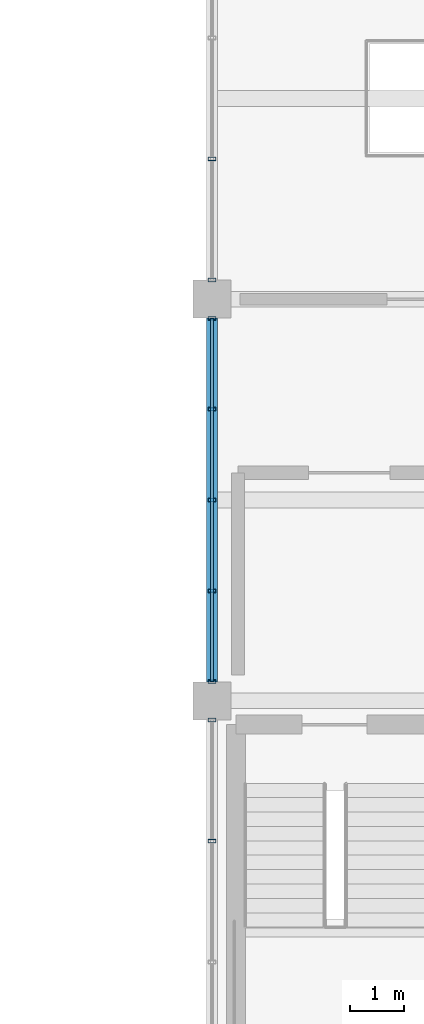
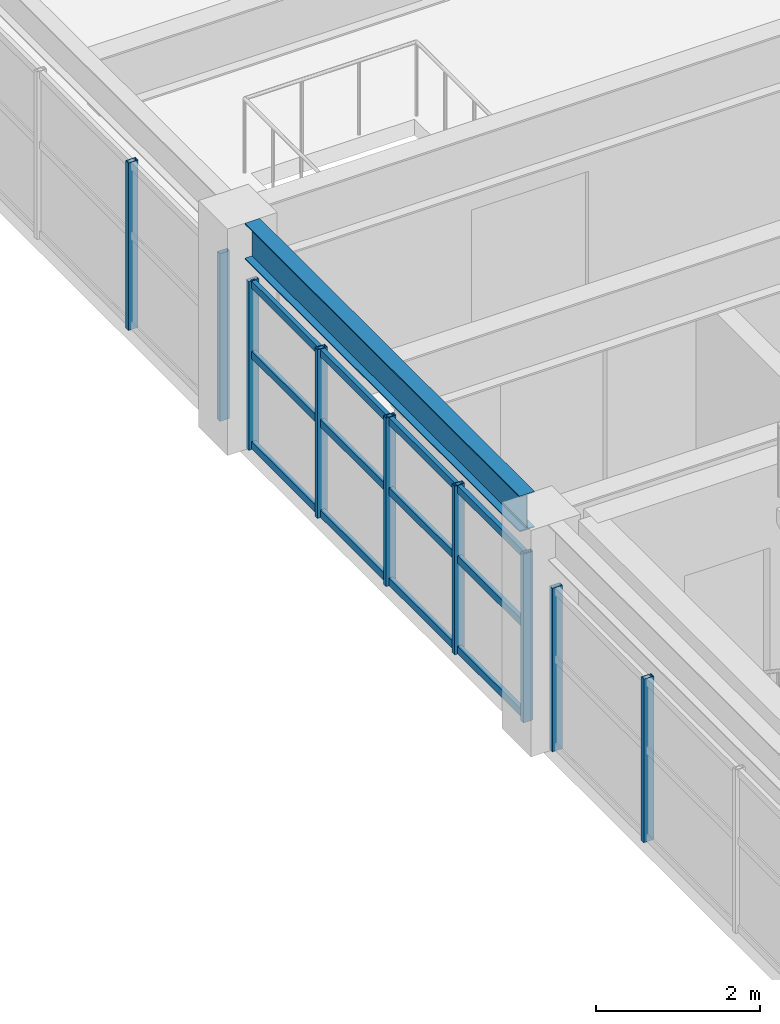
# One storey, part 58 of 121: 12 members, 1 beam, 3 elements without a shape of their own.
"""IFC4 building model written with IfcOpenShell, lengths in metres."""

from ifc_helpers import new_model, si_unit, direction, frame, origin, origin_2d, place, context, subcontext, project, spatial, hollow_rectangle, i_section, extrude, material, material_profile, profile_set, type_object, element, aggregate, save


model = new_model("IFC4")

# Units and contexts
model_context = context("Model", 3, precision=1e-05, world=origin(), true_north=direction((0.0, 1.0)))
body_context = subcontext(model_context, "Body", "Model", "MODEL_VIEW")
ifc_project = project(units=[si_unit("LENGTHUNIT", "METRE"), si_unit("AREAUNIT", "SQUARE_METRE"), si_unit("VOLUMEUNIT", "CUBIC_METRE"), si_unit("PLANEANGLEUNIT", "RADIAN"), si_unit("MASSUNIT", "GRAM", prefix="KILO")], contexts=[model_context])

# Site, building, storey
site_placement = place(None, origin())
site = spatial("IfcSite", under=ifc_project, at=site_placement, CompositionType="ELEMENT")
building_placement = place(site_placement, origin())
building = spatial("IfcBuilding", under=site, at=building_placement, Name="Cimatlan Art Gallery", CompositionType="ELEMENT")
storey_placement = place(building_placement, frame((0.0, 0.0, 10.199951171875)))
storey = spatial("IfcBuildingStorey", under=building, at=storey_placement, Name="L02", CompositionType="ELEMENT", Elevation=10.199951171875)

# Beam
ifc_material_1 = material(Name="Steel ASTM A992 Grade 50", Category="steel")
ifc_material_profile_1 = material_profile(ifc_material_1, i_section(OverallWidth=0.2099609375, OverallDepth=0.532958984375, WebThickness=0.01025390625, FlangeThickness=0.015625, at=origin_2d()), Name="W21X62")
ifc_profile_set_1 = profile_set([ifc_material_profile_1], Name="Steel ASTM A992 Grade 50")
beam_type = type_object("IfcBeamType", Name="BM-STL-W21X62", PredefinedType="BEAM", material=ifc_profile_set_1)
beam_placement = place(storey_placement, frame((74.89990234375, 68.64990234375, 3.103515625), z_axis=(0.0, 1.0, 0.0), x_axis=(-1.0, 0.0, 0.0)))
element("IfcBeam", 1, at=beam_placement, inside=storey, type_object=beam_type, Name="BM-Y-L02-09-09", PredefinedType="BEAM", context=body_context, shape_type="SweptSolid", body=[
    extrude(i_section(OverallWidth=0.2099609375, OverallDepth=0.532958984375, WebThickness=0.01025390625, FlangeThickness=0.015625, at=origin_2d()), origin(), (0.0, 0.0, 1.0), 6.7001953125),
])

# Curtain wall, members
ifc_material_2 = material(Name="Anodised bronze unitised curtain wall")
curtain_wall_type_1 = type_object("IfcCurtainWallType", Name="CW-V-06692X02434-B3", PredefinedType="NOTDEFINED", material=ifc_material_2)
curtain_wall_1_placement = place(storey_placement, origin())
curtain_wall_1 = element("IfcCurtainWall", 2, at=curtain_wall_1_placement, inside=storey, type_object=curtain_wall_type_1, Name="CW-L02-09-08-W", PredefinedType="NOTDEFINED")
ifc_material_3 = material(Name="Anodised bronze aluminium 6063-T6", Category="aluminium")
ifc_material_profile_2 = material_profile(ifc_material_3, hollow_rectangle(XDim=0.06494140625, YDim=0.139892578125, WallThickness=0.00390625, at=origin_2d()), Name="ALU65X140X4")
ifc_profile_set_2 = profile_set([ifc_material_profile_2], Name="Anodised bronze aluminium 6063-T6")
member_type_1 = type_object("IfcMemberType", Name="CW-MUL-140", PredefinedType="MULLION", material=ifc_profile_set_2)
member_1_placement = place(storey_placement, frame((74.89990234375, 65.71533203125, 0.0), z_axis=(0.0, 0.0, 1.0), x_axis=(0.0, 1.0, 0.0)))
member_1 = element("IfcMember", 3, at=member_1_placement, type_object=member_type_1, Name="CW-L02-09-08-W-M3", PredefinedType="MULLION", context=body_context, shape_type="SweptSolid", body=[
    extrude(hollow_rectangle(XDim=0.06494140625, YDim=0.139892578125, WallThickness=0.00390625, at=origin_2d()), origin(), (0.0, 0.0, 1.0), 2.43408203125),
])
member_2_placement = place(storey_placement, frame((74.89990234375, 67.946044921875, 0.0), z_axis=(0.0, 0.0, 1.0), x_axis=(0.0, 1.0, 0.0)))
member_2 = element("IfcMember", 4, at=member_2_placement, type_object=member_type_1, Name="CW-L02-09-08-W-M4", PredefinedType="MULLION", context=body_context, shape_type="SweptSolid", body=[
    extrude(hollow_rectangle(XDim=0.06494140625, YDim=0.139892578125, WallThickness=0.00390625, at=origin_2d()), origin(), (0.0, 0.0, 1.0), 2.43408203125),
])
aggregate(curtain_wall_1, [member_1, member_2])

curtain_wall_type_2 = type_object("IfcCurtainWallType", Name="CW-V-06692X02509-B4", PredefinedType="NOTDEFINED", material=ifc_material_2)
curtain_wall_2_placement = place(storey_placement, origin())
curtain_wall_2 = element("IfcCurtainWall", 5, at=curtain_wall_2_placement, inside=storey, type_object=curtain_wall_type_2, Name="CW-L02-09-09-W", PredefinedType="NOTDEFINED")
member_3_placement = place(storey_placement, frame((74.89990234375, 68.654052734375, 0.0), z_axis=(0.0, 0.0, 1.0), x_axis=(0.0, 1.0, 0.0)))
member_3 = element("IfcMember", 6, at=member_3_placement, type_object=member_type_1, Name="CW-L02-09-09-W-M1", PredefinedType="MULLION", context=body_context, shape_type="SweptSolid", body=[
    extrude(hollow_rectangle(XDim=0.06494140625, YDim=0.139892578125, WallThickness=0.00390625, at=origin_2d()), origin(), (0.0, 0.0, 1.0), 2.509033203125),
])
member_4_placement = place(storey_placement, frame((74.89990234375, 70.326904296875, 0.0), z_axis=(0.0, 0.0, 1.0), x_axis=(0.0, 1.0, 0.0)))
member_4 = element("IfcMember", 7, at=member_4_placement, type_object=member_type_1, Name="CW-L02-09-09-W-M2", PredefinedType="MULLION", context=body_context, shape_type="SweptSolid", body=[
    extrude(hollow_rectangle(XDim=0.06494140625, YDim=0.139892578125, WallThickness=0.00390625, at=origin_2d()), origin(), (0.0, 0.0, 1.0), 2.509033203125),
])
member_5_placement = place(storey_placement, frame((74.89990234375, 72.0, 0.0), z_axis=(0.0, 0.0, 1.0), x_axis=(0.0, 1.0, 0.0)))
member_5 = element("IfcMember", 8, at=member_5_placement, type_object=member_type_1, Name="CW-L02-09-09-W-M3", PredefinedType="MULLION", context=body_context, shape_type="SweptSolid", body=[
    extrude(hollow_rectangle(XDim=0.06494140625, YDim=0.139892578125, WallThickness=0.00390625, at=origin_2d()), origin(), (0.0, 0.0, 1.0), 2.509033203125),
])
member_6_placement = place(storey_placement, frame((74.89990234375, 73.673095703125, 0.0), z_axis=(0.0, 0.0, 1.0), x_axis=(0.0, 1.0, 0.0)))
member_6 = element("IfcMember", 9, at=member_6_placement, type_object=member_type_1, Name="CW-L02-09-09-W-M4", PredefinedType="MULLION", context=body_context, shape_type="SweptSolid", body=[
    extrude(hollow_rectangle(XDim=0.06494140625, YDim=0.139892578125, WallThickness=0.00390625, at=origin_2d()), origin(), (0.0, 0.0, 1.0), 2.509033203125),
])
member_7_placement = place(storey_placement, frame((74.89990234375, 75.345947265625, 0.0), z_axis=(0.0, 0.0, 1.0), x_axis=(0.0, 1.0, 0.0)))
member_7 = element("IfcMember", 10, at=member_7_placement, type_object=member_type_1, Name="CW-L02-09-09-W-M5", PredefinedType="MULLION", context=body_context, shape_type="SweptSolid", body=[
    extrude(hollow_rectangle(XDim=0.06494140625, YDim=0.139892578125, WallThickness=0.00390625, at=origin_2d()), origin(), (0.0, 0.0, 1.0), 2.509033203125),
])

curtain_wall_type_3 = type_object("IfcCurtainWallType", Name="CW-V-06692X02494-B3", PredefinedType="NOTDEFINED", material=ifc_material_2)
curtain_wall_3_placement = place(storey_placement, origin())
curtain_wall_3 = element("IfcCurtainWall", 11, at=curtain_wall_3_placement, inside=storey, type_object=curtain_wall_type_3, Name="CW-L02-09-10-W", PredefinedType="NOTDEFINED")
member_8_placement = place(storey_placement, frame((74.89990234375, 76.053955078125, 0.0), z_axis=(0.0, 0.0, 1.0), x_axis=(0.0, 1.0, 0.0)))
member_8 = element("IfcMember", 12, at=member_8_placement, type_object=member_type_1, Name="CW-L02-09-10-W-M1", PredefinedType="MULLION", context=body_context, shape_type="SweptSolid", body=[
    extrude(hollow_rectangle(XDim=0.06494140625, YDim=0.139892578125, WallThickness=0.00390625, at=origin_2d()), origin(), (0.0, 0.0, 1.0), 2.494140625),
])
member_9_placement = place(storey_placement, frame((74.89990234375, 78.28466796875, 0.0), z_axis=(0.0, 0.0, 1.0), x_axis=(0.0, 1.0, 0.0)))
member_9 = element("IfcMember", 13, at=member_9_placement, type_object=member_type_1, Name="CW-L02-09-10-W-M2", PredefinedType="MULLION", context=body_context, shape_type="SweptSolid", body=[
    extrude(hollow_rectangle(XDim=0.06494140625, YDim=0.139892578125, WallThickness=0.00390625, at=origin_2d()), origin(), (0.0, 0.0, 1.0), 2.494140625),
])
aggregate(curtain_wall_3, [member_8, member_9])

# Member
ifc_material_profile_3 = material_profile(ifc_material_3, hollow_rectangle(XDim=0.06005859375, YDim=0.110107421875, WallThickness=0.00341796875, at=origin_2d()), Name="ALU60X110X3")
ifc_profile_set_3 = profile_set([ifc_material_profile_3], Name="Anodised bronze aluminium 6063-T6")
member_type_2 = type_object("IfcMemberType", Name="CW-TRN-110", PredefinedType="USERDEFINED", material=ifc_profile_set_3)
member_10_placement = place(storey_placement, frame((74.89990234375, 68.654052734375, 0.06005859375), z_axis=(0.0, 1.0, 0.0), x_axis=(-1.0, 0.0, 0.0)))
member_10 = element("IfcMember", 14, at=member_10_placement, type_object=member_type_2, Name="CW-L02-09-09-W-T1", ObjectType="TRANSOM", PredefinedType="USERDEFINED", context=body_context, shape_type="SweptSolid", body=[
    extrude(hollow_rectangle(XDim=0.06005859375, YDim=0.110107421875, WallThickness=0.00341796875, at=origin_2d()), origin(), (0.0, 0.0, 1.0), 6.69189453125),
])

member_11_placement = place(storey_placement, frame((74.89990234375, 68.654052734375, 1.405029296875), z_axis=(0.0, 1.0, 0.0), x_axis=(-1.0, 0.0, 0.0)))
member_11 = element("IfcMember", 15, at=member_11_placement, type_object=member_type_2, Name="CW-L02-09-09-W-T2", ObjectType="TRANSOM", PredefinedType="USERDEFINED", context=body_context, shape_type="SweptSolid", body=[
    extrude(hollow_rectangle(XDim=0.06005859375, YDim=0.110107421875, WallThickness=0.00341796875, at=origin_2d()), origin(), (0.0, 0.0, 1.0), 6.69189453125),
])

member_12_placement = place(storey_placement, frame((74.89990234375, 68.654052734375, 2.448974609375), z_axis=(0.0, 1.0, 0.0), x_axis=(-1.0, 0.0, 0.0)))
member_12 = element("IfcMember", 16, at=member_12_placement, type_object=member_type_2, Name="CW-L02-09-09-W-T3", ObjectType="TRANSOM", PredefinedType="USERDEFINED", context=body_context, shape_type="SweptSolid", body=[
    extrude(hollow_rectangle(XDim=0.06005859375, YDim=0.110107421875, WallThickness=0.00341796875, at=origin_2d()), origin(), (0.0, 0.0, 1.0), 6.69189453125),
])

aggregate(curtain_wall_2, [member_3, member_4, member_5, member_6, member_7, member_10, member_11, member_12])

save(model, "model.ifc")
